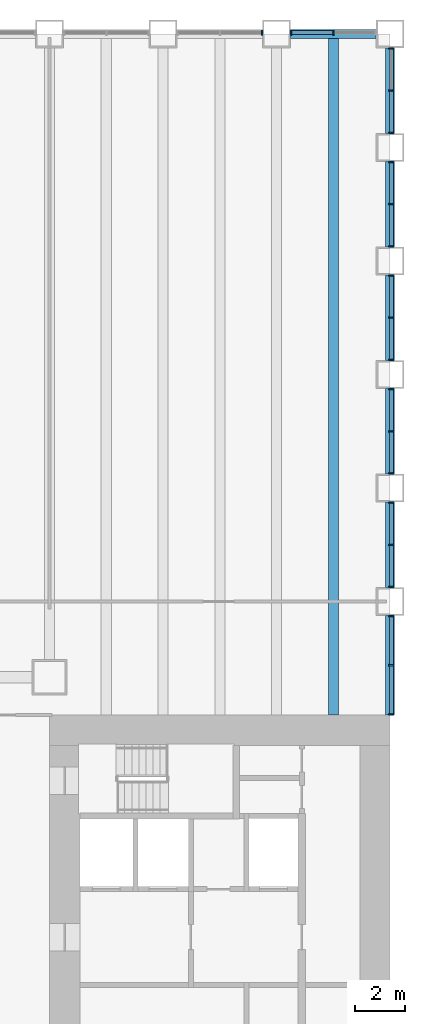
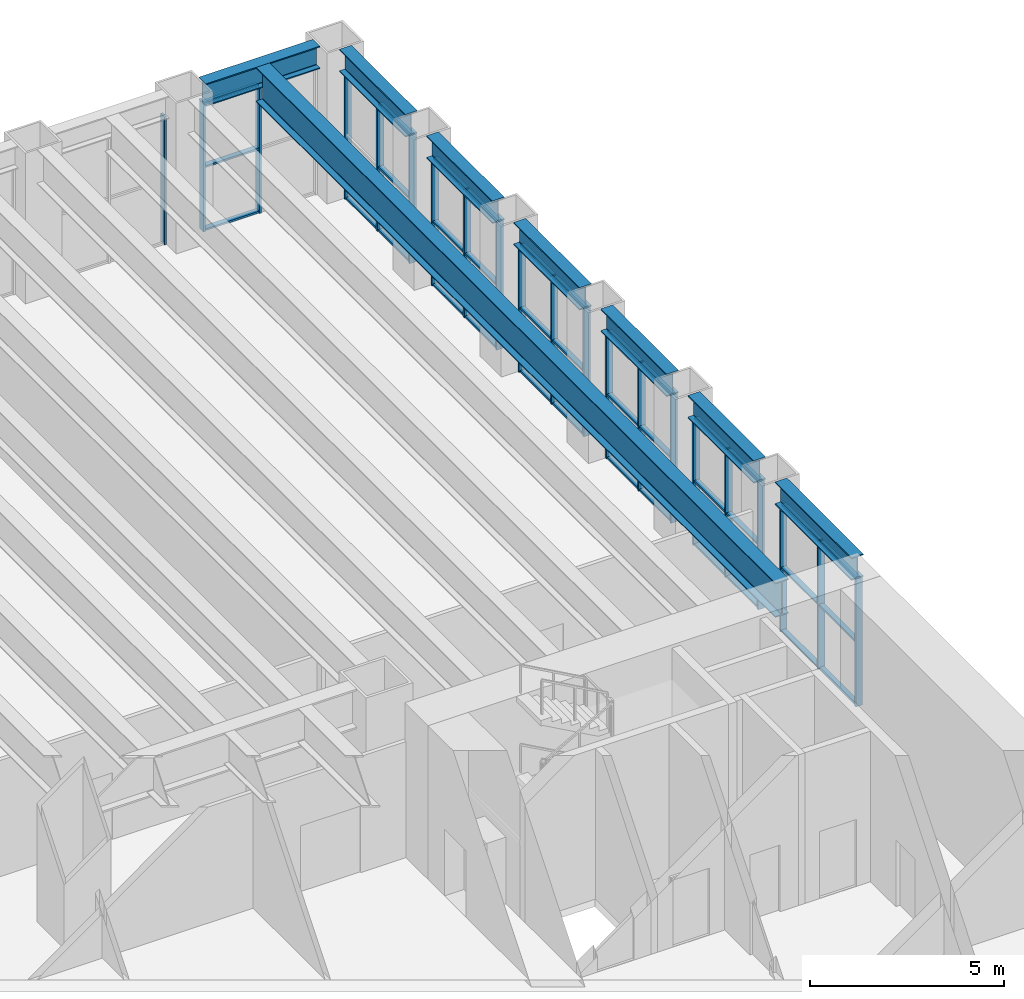
# One storey, part 5 of 19: 58 members, 8 beams, 8 elements without a shape of their own.
"""IFC4 building model written with IfcOpenShell, lengths in metres."""

from ifc_helpers import new_model, si_unit, direction, frame, origin, origin_2d, place, context, subcontext, project, spatial, rectangle, i_section, extrude, material, material_profile, profile_set, type_object, element, aggregate, save


model = new_model("IFC4")

# Units and contexts
model_context = context("Model", 3, precision=1e-05, world=origin(), true_north=direction((0.0, 1.0)))
body_context = subcontext(model_context, "Body", "Model", "MODEL_VIEW")
ifc_project = project(units=[si_unit("LENGTHUNIT", "METRE"), si_unit("AREAUNIT", "SQUARE_METRE"), si_unit("VOLUMEUNIT", "CUBIC_METRE"), si_unit("PLANEANGLEUNIT", "RADIAN"), si_unit("MASSUNIT", "GRAM", prefix="KILO")], contexts=[model_context])

# Site, building, storey
site_placement = place(None, origin())
site = spatial("IfcSite", under=ifc_project, at=site_placement, CompositionType="ELEMENT")
building_placement = place(site_placement, origin())
building = spatial("IfcBuilding", under=site, at=building_placement, Name="Sennacour Bend Tower", CompositionType="ELEMENT")
storey_placement = place(building_placement, frame((0.0, 0.0, 19.0)))
storey = spatial("IfcBuildingStorey", under=building, at=storey_placement, Name="L03", CompositionType="ELEMENT", Elevation=19.0)

# Curtain wall, members
ifc_material_1 = material(Name="Bronze anodised aluminium curtain wall with clear glass", Category="aluminium")
curtain_wall_type = type_object("IfcCurtainWallType", Name="CURTAIN WALL NOTCH", PredefinedType="NOTDEFINED", material=ifc_material_1)
curtain_wall_1_placement = place(storey_placement, origin())
curtain_wall_1 = element("IfcCurtainWall", 1, at=curtain_wall_1_placement, inside=storey, type_object=curtain_wall_type, Name="Podium glass wall L03", PredefinedType="NOTDEFINED")
ifc_material_2 = material(Name="Aluminium 6063-T6", Category="aluminium")
ifc_material_profile_1 = material_profile(ifc_material_2, rectangle(XDim=0.199951171875, YDim=0.06005859375, at=origin_2d()), Name="Aluminium 6063-T6", Category="aluminium")
ifc_profile_set_1 = profile_set([ifc_material_profile_1], Name="Aluminium 6063-T6")
member_type_1 = type_object("IfcMemberType", Name="CW-MULLION-200X60", PredefinedType="MULLION", material=ifc_profile_set_1)
member_1_placement = place(storey_placement, frame((67.550048828125, 22.531005859375, 0.0), z_axis=(0.0, 0.0, 1.0), x_axis=(-1.0, 0.0, 0.0)))
member_1 = element("IfcMember", 2, at=member_1_placement, type_object=member_type_1, Name="GW2 curtain wall mullion 1", PredefinedType="MULLION", context=body_context, shape_type="SweptSolid", body=[
    extrude(rectangle(XDim=0.199951171875, YDim=0.06005859375, at=origin_2d()), origin(), (0.0, 0.0, 1.0), 4.035888671875),
])
member_2_placement = place(storey_placement, frame((67.550048828125, 24.4755859375, 0.0), z_axis=(0.0, 0.0, 1.0), x_axis=(-1.0, 0.0, 0.0)))
member_2 = element("IfcMember", 3, at=member_2_placement, type_object=member_type_1, Name="GW2 curtain wall mullion 2", PredefinedType="MULLION", context=body_context, shape_type="SweptSolid", body=[
    extrude(rectangle(XDim=0.199951171875, YDim=0.06005859375, at=origin_2d()), origin(), (0.0, 0.0, 1.0), 4.035888671875),
])
member_3_placement = place(storey_placement, frame((67.550048828125, 26.419921875, 0.0), z_axis=(0.0, 0.0, 1.0), x_axis=(-1.0, 0.0, 0.0)))
member_3 = element("IfcMember", 4, at=member_3_placement, type_object=member_type_1, Name="GW2 curtain wall mullion 3", PredefinedType="MULLION", context=body_context, shape_type="SweptSolid", body=[
    extrude(rectangle(XDim=0.199951171875, YDim=0.06005859375, at=origin_2d()), origin(), (0.0, 0.0, 1.0), 4.035888671875),
])

curtain_wall_2_placement = place(storey_placement, origin())
curtain_wall_2 = element("IfcCurtainWall", 5, at=curtain_wall_2_placement, inside=storey, type_object=curtain_wall_type, Name="Podium glass wall L03", PredefinedType="NOTDEFINED")
member_4_placement = place(storey_placement, frame((67.550048828125, 27.580078125, 0.0), z_axis=(0.0, 0.0, 1.0), x_axis=(-1.0, 0.0, 0.0)))
member_4 = element("IfcMember", 6, at=member_4_placement, type_object=member_type_1, Name="GW2 curtain wall mullion 1", PredefinedType="MULLION", context=body_context, shape_type="SweptSolid", body=[
    extrude(rectangle(XDim=0.199951171875, YDim=0.06005859375, at=origin_2d()), origin(), (0.0, 0.0, 1.0), 4.035888671875),
])
member_5_placement = place(storey_placement, frame((67.550048828125, 29.25, 0.0), z_axis=(0.0, 0.0, 1.0), x_axis=(-1.0, 0.0, 0.0)))
member_5 = element("IfcMember", 7, at=member_5_placement, type_object=member_type_1, Name="GW2 curtain wall mullion 2", PredefinedType="MULLION", context=body_context, shape_type="SweptSolid", body=[
    extrude(rectangle(XDim=0.199951171875, YDim=0.06005859375, at=origin_2d()), origin(), (0.0, 0.0, 1.0), 4.035888671875),
])
member_6_placement = place(storey_placement, frame((67.550048828125, 30.919921875, 0.0), z_axis=(0.0, 0.0, 1.0), x_axis=(-1.0, 0.0, 0.0)))
member_6 = element("IfcMember", 8, at=member_6_placement, type_object=member_type_1, Name="GW2 curtain wall mullion 3", PredefinedType="MULLION", context=body_context, shape_type="SweptSolid", body=[
    extrude(rectangle(XDim=0.199951171875, YDim=0.06005859375, at=origin_2d()), origin(), (0.0, 0.0, 1.0), 4.035888671875),
])

curtain_wall_3_placement = place(storey_placement, origin())
curtain_wall_3 = element("IfcCurtainWall", 9, at=curtain_wall_3_placement, inside=storey, type_object=curtain_wall_type, Name="Podium glass wall L03", PredefinedType="NOTDEFINED")
member_7_placement = place(storey_placement, frame((67.550048828125, 32.080078125, 0.0), z_axis=(0.0, 0.0, 1.0), x_axis=(-1.0, 0.0, 0.0)))
member_7 = element("IfcMember", 10, at=member_7_placement, type_object=member_type_1, Name="GW2 curtain wall mullion 1", PredefinedType="MULLION", context=body_context, shape_type="SweptSolid", body=[
    extrude(rectangle(XDim=0.199951171875, YDim=0.06005859375, at=origin_2d()), origin(), (0.0, 0.0, 1.0), 4.035888671875),
])
member_8_placement = place(storey_placement, frame((67.550048828125, 33.75, 0.0), z_axis=(0.0, 0.0, 1.0), x_axis=(-1.0, 0.0, 0.0)))
member_8 = element("IfcMember", 11, at=member_8_placement, type_object=member_type_1, Name="GW2 curtain wall mullion 2", PredefinedType="MULLION", context=body_context, shape_type="SweptSolid", body=[
    extrude(rectangle(XDim=0.199951171875, YDim=0.06005859375, at=origin_2d()), origin(), (0.0, 0.0, 1.0), 4.035888671875),
])
member_9_placement = place(storey_placement, frame((67.550048828125, 35.419921875, 0.0), z_axis=(0.0, 0.0, 1.0), x_axis=(-1.0, 0.0, 0.0)))
member_9 = element("IfcMember", 12, at=member_9_placement, type_object=member_type_1, Name="GW2 curtain wall mullion 3", PredefinedType="MULLION", context=body_context, shape_type="SweptSolid", body=[
    extrude(rectangle(XDim=0.199951171875, YDim=0.06005859375, at=origin_2d()), origin(), (0.0, 0.0, 1.0), 4.035888671875),
])

curtain_wall_4_placement = place(storey_placement, origin())
curtain_wall_4 = element("IfcCurtainWall", 13, at=curtain_wall_4_placement, inside=storey, type_object=curtain_wall_type, Name="Podium glass wall L03", PredefinedType="NOTDEFINED")
member_10_placement = place(storey_placement, frame((67.550048828125, 36.580078125, 0.0), z_axis=(0.0, 0.0, 1.0), x_axis=(-1.0, 0.0, 0.0)))
member_10 = element("IfcMember", 14, at=member_10_placement, type_object=member_type_1, Name="GW2 curtain wall mullion 1", PredefinedType="MULLION", context=body_context, shape_type="SweptSolid", body=[
    extrude(rectangle(XDim=0.199951171875, YDim=0.06005859375, at=origin_2d()), origin(), (0.0, 0.0, 1.0), 4.035888671875),
])
member_11_placement = place(storey_placement, frame((67.550048828125, 38.25, 0.0), z_axis=(0.0, 0.0, 1.0), x_axis=(-1.0, 0.0, 0.0)))
member_11 = element("IfcMember", 15, at=member_11_placement, type_object=member_type_1, Name="GW2 curtain wall mullion 2", PredefinedType="MULLION", context=body_context, shape_type="SweptSolid", body=[
    extrude(rectangle(XDim=0.199951171875, YDim=0.06005859375, at=origin_2d()), origin(), (0.0, 0.0, 1.0), 4.035888671875),
])
member_12_placement = place(storey_placement, frame((67.550048828125, 39.919921875, 0.0), z_axis=(0.0, 0.0, 1.0), x_axis=(-1.0, 0.0, 0.0)))
member_12 = element("IfcMember", 16, at=member_12_placement, type_object=member_type_1, Name="GW2 curtain wall mullion 3", PredefinedType="MULLION", context=body_context, shape_type="SweptSolid", body=[
    extrude(rectangle(XDim=0.199951171875, YDim=0.06005859375, at=origin_2d()), origin(), (0.0, 0.0, 1.0), 4.035888671875),
])

curtain_wall_5_placement = place(storey_placement, origin())
curtain_wall_5 = element("IfcCurtainWall", 17, at=curtain_wall_5_placement, inside=storey, type_object=curtain_wall_type, Name="Podium glass wall L03", PredefinedType="NOTDEFINED")
member_13_placement = place(storey_placement, frame((67.550048828125, 41.080078125, 0.0), z_axis=(0.0, 0.0, 1.0), x_axis=(-1.0, 0.0, 0.0)))
member_13 = element("IfcMember", 18, at=member_13_placement, type_object=member_type_1, Name="GW2 curtain wall mullion 1", PredefinedType="MULLION", context=body_context, shape_type="SweptSolid", body=[
    extrude(rectangle(XDim=0.199951171875, YDim=0.06005859375, at=origin_2d()), origin(), (0.0, 0.0, 1.0), 4.035888671875),
])
member_14_placement = place(storey_placement, frame((67.550048828125, 42.75, 0.0), z_axis=(0.0, 0.0, 1.0), x_axis=(-1.0, 0.0, 0.0)))
member_14 = element("IfcMember", 19, at=member_14_placement, type_object=member_type_1, Name="GW2 curtain wall mullion 2", PredefinedType="MULLION", context=body_context, shape_type="SweptSolid", body=[
    extrude(rectangle(XDim=0.199951171875, YDim=0.06005859375, at=origin_2d()), origin(), (0.0, 0.0, 1.0), 4.035888671875),
])
member_15_placement = place(storey_placement, frame((67.550048828125, 44.419921875, 0.0), z_axis=(0.0, 0.0, 1.0), x_axis=(-1.0, 0.0, 0.0)))
member_15 = element("IfcMember", 20, at=member_15_placement, type_object=member_type_1, Name="GW2 curtain wall mullion 3", PredefinedType="MULLION", context=body_context, shape_type="SweptSolid", body=[
    extrude(rectangle(XDim=0.199951171875, YDim=0.06005859375, at=origin_2d()), origin(), (0.0, 0.0, 1.0), 4.035888671875),
])

curtain_wall_6_placement = place(storey_placement, origin())
curtain_wall_6 = element("IfcCurtainWall", 21, at=curtain_wall_6_placement, inside=storey, type_object=curtain_wall_type, Name="Podium glass wall L03", PredefinedType="NOTDEFINED")
member_16_placement = place(storey_placement, frame((67.550048828125, 45.580078125, 0.0), z_axis=(0.0, 0.0, 1.0), x_axis=(-1.0, 0.0, 0.0)))
member_16 = element("IfcMember", 22, at=member_16_placement, type_object=member_type_1, Name="GW2 curtain wall mullion 1", PredefinedType="MULLION", context=body_context, shape_type="SweptSolid", body=[
    extrude(rectangle(XDim=0.199951171875, YDim=0.06005859375, at=origin_2d()), origin(), (0.0, 0.0, 1.0), 4.035888671875),
])
member_17_placement = place(storey_placement, frame((67.550048828125, 47.25, 0.0), z_axis=(0.0, 0.0, 1.0), x_axis=(-1.0, 0.0, 0.0)))
member_17 = element("IfcMember", 23, at=member_17_placement, type_object=member_type_1, Name="GW2 curtain wall mullion 2", PredefinedType="MULLION", context=body_context, shape_type="SweptSolid", body=[
    extrude(rectangle(XDim=0.199951171875, YDim=0.06005859375, at=origin_2d()), origin(), (0.0, 0.0, 1.0), 4.035888671875),
])
member_18_placement = place(storey_placement, frame((67.550048828125, 48.919921875, 0.0), z_axis=(0.0, 0.0, 1.0), x_axis=(-1.0, 0.0, 0.0)))
member_18 = element("IfcMember", 24, at=member_18_placement, type_object=member_type_1, Name="GW2 curtain wall mullion 3", PredefinedType="MULLION", context=body_context, shape_type="SweptSolid", body=[
    extrude(rectangle(XDim=0.199951171875, YDim=0.06005859375, at=origin_2d()), origin(), (0.0, 0.0, 1.0), 4.035888671875),
])

curtain_wall_7_placement = place(storey_placement, origin())
curtain_wall_7 = element("IfcCurtainWall", 25, at=curtain_wall_7_placement, inside=storey, type_object=curtain_wall_type, Name="Podium glass wall L03", PredefinedType="NOTDEFINED")
member_19_placement = place(storey_placement, frame((65.25, 49.550048828125, 0.0), z_axis=(0.0, 0.0, 1.0), x_axis=(0.0, -1.0, 0.0)))
member_19 = element("IfcMember", 26, at=member_19_placement, type_object=member_type_1, Name="GW2 curtain wall mullion 2", PredefinedType="MULLION", context=body_context, shape_type="SweptSolid", body=[
    extrude(rectangle(XDim=0.199951171875, YDim=0.06005859375, at=origin_2d()), origin(), (0.0, 0.0, 1.0), 4.035888671875),
])
member_20_placement = place(storey_placement, frame((63.580078125, 49.550048828125, 0.0), z_axis=(0.0, 0.0, 1.0), x_axis=(0.0, -1.0, 0.0)))
member_20 = element("IfcMember", 27, at=member_20_placement, type_object=member_type_1, Name="GW2 curtain wall mullion 3", PredefinedType="MULLION", context=body_context, shape_type="SweptSolid", body=[
    extrude(rectangle(XDim=0.199951171875, YDim=0.06005859375, at=origin_2d()), origin(), (0.0, 0.0, 1.0), 4.035888671875),
])

# Curtain wall, member
curtain_wall_8_placement = place(storey_placement, origin())
curtain_wall_8 = element("IfcCurtainWall", 28, at=curtain_wall_8_placement, inside=storey, type_object=curtain_wall_type, Name="Podium glass wall L03", PredefinedType="NOTDEFINED")
member_21_placement = place(storey_placement, frame((62.419921875, 49.550048828125, 0.0), z_axis=(0.0, 0.0, 1.0), x_axis=(0.0, -1.0, 0.0)))
member_21 = element("IfcMember", 29, at=member_21_placement, type_object=member_type_1, Name="GW2 curtain wall mullion 1", PredefinedType="MULLION", context=body_context, shape_type="SweptSolid", body=[
    extrude(rectangle(XDim=0.199951171875, YDim=0.06005859375, at=origin_2d()), origin(), (0.0, 0.0, 1.0), 4.035888671875),
])
aggregate(curtain_wall_8, [member_21])

# Member
ifc_material_profile_2 = material_profile(ifc_material_2, rectangle(XDim=0.14990234375, YDim=0.06005859375, at=origin_2d()), Name="Aluminium 6063-T6", Category="aluminium")
ifc_profile_set_2 = profile_set([ifc_material_profile_2], Name="Aluminium 6063-T6")
member_type_2 = type_object("IfcMemberType", Name="CW-TRANSOM-150X60", PredefinedType="USERDEFINED", material=ifc_profile_set_2)
member_22_placement = place(storey_placement, frame((67.550048828125, 22.56103515625, 0.030029296875), z_axis=(0.0, 1.0, 0.0), x_axis=(-1.0, 0.0, 0.0)))
member_22 = element("IfcMember", 30, at=member_22_placement, type_object=member_type_2, Name="GW2 curtain wall transom 1.1", ObjectType="TRANSOM", PredefinedType="USERDEFINED", context=body_context, shape_type="SweptSolid", body=[
    extrude(rectangle(XDim=0.14990234375, YDim=0.06005859375, at=origin_2d()), origin(), (0.0, 0.0, 1.0), 1.884521484375),
])

member_23_placement = place(storey_placement, frame((67.550048828125, 22.56103515625, 2.01806640625), z_axis=(0.0, 1.0, 0.0), x_axis=(-1.0, 0.0, 0.0)))
member_23 = element("IfcMember", 31, at=member_23_placement, type_object=member_type_2, Name="GW2 curtain wall transom 1.2", ObjectType="TRANSOM", PredefinedType="USERDEFINED", context=body_context, shape_type="SweptSolid", body=[
    extrude(rectangle(XDim=0.14990234375, YDim=0.06005859375, at=origin_2d()), origin(), (0.0, 0.0, 1.0), 1.884521484375),
])

member_24_placement = place(storey_placement, frame((67.550048828125, 22.56103515625, 4.006103515625), z_axis=(0.0, 1.0, 0.0), x_axis=(-1.0, 0.0, 0.0)))
member_24 = element("IfcMember", 32, at=member_24_placement, type_object=member_type_2, Name="GW2 curtain wall transom 1.3", ObjectType="TRANSOM", PredefinedType="USERDEFINED", context=body_context, shape_type="SweptSolid", body=[
    extrude(rectangle(XDim=0.14990234375, YDim=0.06005859375, at=origin_2d()), origin(), (0.0, 0.0, 1.0), 1.884521484375),
])

member_25_placement = place(storey_placement, frame((67.550048828125, 24.505615234375, 0.030029296875), z_axis=(0.0, 1.0, 0.0), x_axis=(-1.0, 0.0, 0.0)))
member_25 = element("IfcMember", 33, at=member_25_placement, type_object=member_type_2, Name="GW2 curtain wall transom 2.1", ObjectType="TRANSOM", PredefinedType="USERDEFINED", context=body_context, shape_type="SweptSolid", body=[
    extrude(rectangle(XDim=0.14990234375, YDim=0.06005859375, at=origin_2d()), origin(), (0.0, 0.0, 1.0), 1.88427734375),
])

member_26_placement = place(storey_placement, frame((67.550048828125, 24.505615234375, 2.01806640625), z_axis=(0.0, 1.0, 0.0), x_axis=(-1.0, 0.0, 0.0)))
member_26 = element("IfcMember", 34, at=member_26_placement, type_object=member_type_2, Name="GW2 curtain wall transom 2.2", ObjectType="TRANSOM", PredefinedType="USERDEFINED", context=body_context, shape_type="SweptSolid", body=[
    extrude(rectangle(XDim=0.14990234375, YDim=0.06005859375, at=origin_2d()), origin(), (0.0, 0.0, 1.0), 1.88427734375),
])

member_27_placement = place(storey_placement, frame((67.550048828125, 24.505615234375, 4.006103515625), z_axis=(0.0, 1.0, 0.0), x_axis=(-1.0, 0.0, 0.0)))
member_27 = element("IfcMember", 35, at=member_27_placement, type_object=member_type_2, Name="GW2 curtain wall transom 2.3", ObjectType="TRANSOM", PredefinedType="USERDEFINED", context=body_context, shape_type="SweptSolid", body=[
    extrude(rectangle(XDim=0.14990234375, YDim=0.06005859375, at=origin_2d()), origin(), (0.0, 0.0, 1.0), 1.88427734375),
])

aggregate(curtain_wall_1, [member_1, member_2, member_3, member_22, member_23, member_24, member_25, member_26, member_27])

member_28_placement = place(storey_placement, frame((67.550048828125, 27.610107421875, 0.030029296875), z_axis=(0.0, 1.0, 0.0), x_axis=(-1.0, 0.0, 0.0)))
member_28 = element("IfcMember", 36, at=member_28_placement, type_object=member_type_2, Name="GW2 curtain wall transom 1.1", ObjectType="TRANSOM", PredefinedType="USERDEFINED", context=body_context, shape_type="SweptSolid", body=[
    extrude(rectangle(XDim=0.14990234375, YDim=0.06005859375, at=origin_2d()), origin(), (0.0, 0.0, 1.0), 1.60986328125),
])

member_29_placement = place(storey_placement, frame((67.550048828125, 27.610107421875, 2.01806640625), z_axis=(0.0, 1.0, 0.0), x_axis=(-1.0, 0.0, 0.0)))
member_29 = element("IfcMember", 37, at=member_29_placement, type_object=member_type_2, Name="GW2 curtain wall transom 1.2", ObjectType="TRANSOM", PredefinedType="USERDEFINED", context=body_context, shape_type="SweptSolid", body=[
    extrude(rectangle(XDim=0.14990234375, YDim=0.06005859375, at=origin_2d()), origin(), (0.0, 0.0, 1.0), 1.60986328125),
])

member_30_placement = place(storey_placement, frame((67.550048828125, 27.610107421875, 4.006103515625), z_axis=(0.0, 1.0, 0.0), x_axis=(-1.0, 0.0, 0.0)))
member_30 = element("IfcMember", 38, at=member_30_placement, type_object=member_type_2, Name="GW2 curtain wall transom 1.3", ObjectType="TRANSOM", PredefinedType="USERDEFINED", context=body_context, shape_type="SweptSolid", body=[
    extrude(rectangle(XDim=0.14990234375, YDim=0.06005859375, at=origin_2d()), origin(), (0.0, 0.0, 1.0), 1.60986328125),
])

member_31_placement = place(storey_placement, frame((67.550048828125, 29.280029296875, 0.030029296875), z_axis=(0.0, 1.0, 0.0), x_axis=(-1.0, 0.0, 0.0)))
member_31 = element("IfcMember", 39, at=member_31_placement, type_object=member_type_2, Name="GW2 curtain wall transom 2.1", ObjectType="TRANSOM", PredefinedType="USERDEFINED", context=body_context, shape_type="SweptSolid", body=[
    extrude(rectangle(XDim=0.14990234375, YDim=0.06005859375, at=origin_2d()), origin(), (0.0, 0.0, 1.0), 1.60986328125),
])

member_32_placement = place(storey_placement, frame((67.550048828125, 29.280029296875, 2.01806640625), z_axis=(0.0, 1.0, 0.0), x_axis=(-1.0, 0.0, 0.0)))
member_32 = element("IfcMember", 40, at=member_32_placement, type_object=member_type_2, Name="GW2 curtain wall transom 2.2", ObjectType="TRANSOM", PredefinedType="USERDEFINED", context=body_context, shape_type="SweptSolid", body=[
    extrude(rectangle(XDim=0.14990234375, YDim=0.06005859375, at=origin_2d()), origin(), (0.0, 0.0, 1.0), 1.60986328125),
])

member_33_placement = place(storey_placement, frame((67.550048828125, 29.280029296875, 4.006103515625), z_axis=(0.0, 1.0, 0.0), x_axis=(-1.0, 0.0, 0.0)))
member_33 = element("IfcMember", 41, at=member_33_placement, type_object=member_type_2, Name="GW2 curtain wall transom 2.3", ObjectType="TRANSOM", PredefinedType="USERDEFINED", context=body_context, shape_type="SweptSolid", body=[
    extrude(rectangle(XDim=0.14990234375, YDim=0.06005859375, at=origin_2d()), origin(), (0.0, 0.0, 1.0), 1.60986328125),
])

aggregate(curtain_wall_2, [member_4, member_5, member_6, member_28, member_29, member_30, member_31, member_32, member_33])

member_34_placement = place(storey_placement, frame((67.550048828125, 32.110107421875, 0.030029296875), z_axis=(0.0, 1.0, 0.0), x_axis=(-1.0, 0.0, 0.0)))
member_34 = element("IfcMember", 42, at=member_34_placement, type_object=member_type_2, Name="GW2 curtain wall transom 1.1", ObjectType="TRANSOM", PredefinedType="USERDEFINED", context=body_context, shape_type="SweptSolid", body=[
    extrude(rectangle(XDim=0.14990234375, YDim=0.06005859375, at=origin_2d()), origin(), (0.0, 0.0, 1.0), 1.60986328125),
])

member_35_placement = place(storey_placement, frame((67.550048828125, 32.110107421875, 2.01806640625), z_axis=(0.0, 1.0, 0.0), x_axis=(-1.0, 0.0, 0.0)))
member_35 = element("IfcMember", 43, at=member_35_placement, type_object=member_type_2, Name="GW2 curtain wall transom 1.2", ObjectType="TRANSOM", PredefinedType="USERDEFINED", context=body_context, shape_type="SweptSolid", body=[
    extrude(rectangle(XDim=0.14990234375, YDim=0.06005859375, at=origin_2d()), origin(), (0.0, 0.0, 1.0), 1.60986328125),
])

member_36_placement = place(storey_placement, frame((67.550048828125, 32.110107421875, 4.006103515625), z_axis=(0.0, 1.0, 0.0), x_axis=(-1.0, 0.0, 0.0)))
member_36 = element("IfcMember", 44, at=member_36_placement, type_object=member_type_2, Name="GW2 curtain wall transom 1.3", ObjectType="TRANSOM", PredefinedType="USERDEFINED", context=body_context, shape_type="SweptSolid", body=[
    extrude(rectangle(XDim=0.14990234375, YDim=0.06005859375, at=origin_2d()), origin(), (0.0, 0.0, 1.0), 1.60986328125),
])

member_37_placement = place(storey_placement, frame((67.550048828125, 33.780029296875, 0.030029296875), z_axis=(0.0, 1.0, 0.0), x_axis=(-1.0, 0.0, 0.0)))
member_37 = element("IfcMember", 45, at=member_37_placement, type_object=member_type_2, Name="GW2 curtain wall transom 2.1", ObjectType="TRANSOM", PredefinedType="USERDEFINED", context=body_context, shape_type="SweptSolid", body=[
    extrude(rectangle(XDim=0.14990234375, YDim=0.06005859375, at=origin_2d()), origin(), (0.0, 0.0, 1.0), 1.60986328125),
])

member_38_placement = place(storey_placement, frame((67.550048828125, 33.780029296875, 2.01806640625), z_axis=(0.0, 1.0, 0.0), x_axis=(-1.0, 0.0, 0.0)))
member_38 = element("IfcMember", 46, at=member_38_placement, type_object=member_type_2, Name="GW2 curtain wall transom 2.2", ObjectType="TRANSOM", PredefinedType="USERDEFINED", context=body_context, shape_type="SweptSolid", body=[
    extrude(rectangle(XDim=0.14990234375, YDim=0.06005859375, at=origin_2d()), origin(), (0.0, 0.0, 1.0), 1.60986328125),
])

member_39_placement = place(storey_placement, frame((67.550048828125, 33.780029296875, 4.006103515625), z_axis=(0.0, 1.0, 0.0), x_axis=(-1.0, 0.0, 0.0)))
member_39 = element("IfcMember", 47, at=member_39_placement, type_object=member_type_2, Name="GW2 curtain wall transom 2.3", ObjectType="TRANSOM", PredefinedType="USERDEFINED", context=body_context, shape_type="SweptSolid", body=[
    extrude(rectangle(XDim=0.14990234375, YDim=0.06005859375, at=origin_2d()), origin(), (0.0, 0.0, 1.0), 1.60986328125),
])

aggregate(curtain_wall_3, [member_7, member_8, member_9, member_34, member_35, member_36, member_37, member_38, member_39])

member_40_placement = place(storey_placement, frame((67.550048828125, 36.610107421875, 0.030029296875), z_axis=(0.0, 1.0, 0.0), x_axis=(-1.0, 0.0, 0.0)))
member_40 = element("IfcMember", 48, at=member_40_placement, type_object=member_type_2, Name="GW2 curtain wall transom 1.1", ObjectType="TRANSOM", PredefinedType="USERDEFINED", context=body_context, shape_type="SweptSolid", body=[
    extrude(rectangle(XDim=0.14990234375, YDim=0.06005859375, at=origin_2d()), origin(), (0.0, 0.0, 1.0), 1.60986328125),
])

member_41_placement = place(storey_placement, frame((67.550048828125, 36.610107421875, 2.01806640625), z_axis=(0.0, 1.0, 0.0), x_axis=(-1.0, 0.0, 0.0)))
member_41 = element("IfcMember", 49, at=member_41_placement, type_object=member_type_2, Name="GW2 curtain wall transom 1.2", ObjectType="TRANSOM", PredefinedType="USERDEFINED", context=body_context, shape_type="SweptSolid", body=[
    extrude(rectangle(XDim=0.14990234375, YDim=0.06005859375, at=origin_2d()), origin(), (0.0, 0.0, 1.0), 1.60986328125),
])

member_42_placement = place(storey_placement, frame((67.550048828125, 36.610107421875, 4.006103515625), z_axis=(0.0, 1.0, 0.0), x_axis=(-1.0, 0.0, 0.0)))
member_42 = element("IfcMember", 50, at=member_42_placement, type_object=member_type_2, Name="GW2 curtain wall transom 1.3", ObjectType="TRANSOM", PredefinedType="USERDEFINED", context=body_context, shape_type="SweptSolid", body=[
    extrude(rectangle(XDim=0.14990234375, YDim=0.06005859375, at=origin_2d()), origin(), (0.0, 0.0, 1.0), 1.60986328125),
])

member_43_placement = place(storey_placement, frame((67.550048828125, 38.280029296875, 0.030029296875), z_axis=(0.0, 1.0, 0.0), x_axis=(-1.0, 0.0, 0.0)))
member_43 = element("IfcMember", 51, at=member_43_placement, type_object=member_type_2, Name="GW2 curtain wall transom 2.1", ObjectType="TRANSOM", PredefinedType="USERDEFINED", context=body_context, shape_type="SweptSolid", body=[
    extrude(rectangle(XDim=0.14990234375, YDim=0.06005859375, at=origin_2d()), origin(), (0.0, 0.0, 1.0), 1.60986328125),
])

member_44_placement = place(storey_placement, frame((67.550048828125, 38.280029296875, 2.01806640625), z_axis=(0.0, 1.0, 0.0), x_axis=(-1.0, 0.0, 0.0)))
member_44 = element("IfcMember", 52, at=member_44_placement, type_object=member_type_2, Name="GW2 curtain wall transom 2.2", ObjectType="TRANSOM", PredefinedType="USERDEFINED", context=body_context, shape_type="SweptSolid", body=[
    extrude(rectangle(XDim=0.14990234375, YDim=0.06005859375, at=origin_2d()), origin(), (0.0, 0.0, 1.0), 1.60986328125),
])

member_45_placement = place(storey_placement, frame((67.550048828125, 38.280029296875, 4.006103515625), z_axis=(0.0, 1.0, 0.0), x_axis=(-1.0, 0.0, 0.0)))
member_45 = element("IfcMember", 53, at=member_45_placement, type_object=member_type_2, Name="GW2 curtain wall transom 2.3", ObjectType="TRANSOM", PredefinedType="USERDEFINED", context=body_context, shape_type="SweptSolid", body=[
    extrude(rectangle(XDim=0.14990234375, YDim=0.06005859375, at=origin_2d()), origin(), (0.0, 0.0, 1.0), 1.60986328125),
])

aggregate(curtain_wall_4, [member_10, member_11, member_12, member_40, member_41, member_42, member_43, member_44, member_45])

member_46_placement = place(storey_placement, frame((67.550048828125, 41.110107421875, 0.030029296875), z_axis=(0.0, 1.0, 0.0), x_axis=(-1.0, 0.0, 0.0)))
member_46 = element("IfcMember", 54, at=member_46_placement, type_object=member_type_2, Name="GW2 curtain wall transom 1.1", ObjectType="TRANSOM", PredefinedType="USERDEFINED", context=body_context, shape_type="SweptSolid", body=[
    extrude(rectangle(XDim=0.14990234375, YDim=0.06005859375, at=origin_2d()), origin(), (0.0, 0.0, 1.0), 1.60986328125),
])

member_47_placement = place(storey_placement, frame((67.550048828125, 41.110107421875, 2.01806640625), z_axis=(0.0, 1.0, 0.0), x_axis=(-1.0, 0.0, 0.0)))
member_47 = element("IfcMember", 55, at=member_47_placement, type_object=member_type_2, Name="GW2 curtain wall transom 1.2", ObjectType="TRANSOM", PredefinedType="USERDEFINED", context=body_context, shape_type="SweptSolid", body=[
    extrude(rectangle(XDim=0.14990234375, YDim=0.06005859375, at=origin_2d()), origin(), (0.0, 0.0, 1.0), 1.60986328125),
])

member_48_placement = place(storey_placement, frame((67.550048828125, 41.110107421875, 4.006103515625), z_axis=(0.0, 1.0, 0.0), x_axis=(-1.0, 0.0, 0.0)))
member_48 = element("IfcMember", 56, at=member_48_placement, type_object=member_type_2, Name="GW2 curtain wall transom 1.3", ObjectType="TRANSOM", PredefinedType="USERDEFINED", context=body_context, shape_type="SweptSolid", body=[
    extrude(rectangle(XDim=0.14990234375, YDim=0.06005859375, at=origin_2d()), origin(), (0.0, 0.0, 1.0), 1.60986328125),
])

member_49_placement = place(storey_placement, frame((67.550048828125, 42.780029296875, 0.030029296875), z_axis=(0.0, 1.0, 0.0), x_axis=(-1.0, 0.0, 0.0)))
member_49 = element("IfcMember", 57, at=member_49_placement, type_object=member_type_2, Name="GW2 curtain wall transom 2.1", ObjectType="TRANSOM", PredefinedType="USERDEFINED", context=body_context, shape_type="SweptSolid", body=[
    extrude(rectangle(XDim=0.14990234375, YDim=0.06005859375, at=origin_2d()), origin(), (0.0, 0.0, 1.0), 1.60986328125),
])

member_50_placement = place(storey_placement, frame((67.550048828125, 42.780029296875, 2.01806640625), z_axis=(0.0, 1.0, 0.0), x_axis=(-1.0, 0.0, 0.0)))
member_50 = element("IfcMember", 58, at=member_50_placement, type_object=member_type_2, Name="GW2 curtain wall transom 2.2", ObjectType="TRANSOM", PredefinedType="USERDEFINED", context=body_context, shape_type="SweptSolid", body=[
    extrude(rectangle(XDim=0.14990234375, YDim=0.06005859375, at=origin_2d()), origin(), (0.0, 0.0, 1.0), 1.60986328125),
])

member_51_placement = place(storey_placement, frame((67.550048828125, 42.780029296875, 4.006103515625), z_axis=(0.0, 1.0, 0.0), x_axis=(-1.0, 0.0, 0.0)))
member_51 = element("IfcMember", 59, at=member_51_placement, type_object=member_type_2, Name="GW2 curtain wall transom 2.3", ObjectType="TRANSOM", PredefinedType="USERDEFINED", context=body_context, shape_type="SweptSolid", body=[
    extrude(rectangle(XDim=0.14990234375, YDim=0.06005859375, at=origin_2d()), origin(), (0.0, 0.0, 1.0), 1.60986328125),
])

aggregate(curtain_wall_5, [member_13, member_14, member_15, member_46, member_47, member_48, member_49, member_50, member_51])

member_52_placement = place(storey_placement, frame((67.550048828125, 45.610107421875, 0.030029296875), z_axis=(0.0, 1.0, 0.0), x_axis=(-1.0, 0.0, 0.0)))
member_52 = element("IfcMember", 60, at=member_52_placement, type_object=member_type_2, Name="GW2 curtain wall transom 1.1", ObjectType="TRANSOM", PredefinedType="USERDEFINED", context=body_context, shape_type="SweptSolid", body=[
    extrude(rectangle(XDim=0.14990234375, YDim=0.06005859375, at=origin_2d()), origin(), (0.0, 0.0, 1.0), 1.60986328125),
])

member_53_placement = place(storey_placement, frame((67.550048828125, 45.610107421875, 2.01806640625), z_axis=(0.0, 1.0, 0.0), x_axis=(-1.0, 0.0, 0.0)))
member_53 = element("IfcMember", 61, at=member_53_placement, type_object=member_type_2, Name="GW2 curtain wall transom 1.2", ObjectType="TRANSOM", PredefinedType="USERDEFINED", context=body_context, shape_type="SweptSolid", body=[
    extrude(rectangle(XDim=0.14990234375, YDim=0.06005859375, at=origin_2d()), origin(), (0.0, 0.0, 1.0), 1.60986328125),
])

member_54_placement = place(storey_placement, frame((67.550048828125, 45.610107421875, 4.006103515625), z_axis=(0.0, 1.0, 0.0), x_axis=(-1.0, 0.0, 0.0)))
member_54 = element("IfcMember", 62, at=member_54_placement, type_object=member_type_2, Name="GW2 curtain wall transom 1.3", ObjectType="TRANSOM", PredefinedType="USERDEFINED", context=body_context, shape_type="SweptSolid", body=[
    extrude(rectangle(XDim=0.14990234375, YDim=0.06005859375, at=origin_2d()), origin(), (0.0, 0.0, 1.0), 1.60986328125),
])

member_55_placement = place(storey_placement, frame((67.550048828125, 47.280029296875, 0.030029296875), z_axis=(0.0, 1.0, 0.0), x_axis=(-1.0, 0.0, 0.0)))
member_55 = element("IfcMember", 63, at=member_55_placement, type_object=member_type_2, Name="GW2 curtain wall transom 2.1", ObjectType="TRANSOM", PredefinedType="USERDEFINED", context=body_context, shape_type="SweptSolid", body=[
    extrude(rectangle(XDim=0.14990234375, YDim=0.06005859375, at=origin_2d()), origin(), (0.0, 0.0, 1.0), 1.60986328125),
])

aggregate(curtain_wall_6, [member_16, member_17, member_18, member_52, member_53, member_54, member_55])

member_56_placement = place(storey_placement, frame((65.219970703125, 49.550048828125, 0.030029296875), z_axis=(-1.0, 0.0, 0.0), x_axis=(0.0, -1.0, 0.0)))
member_56 = element("IfcMember", 64, at=member_56_placement, type_object=member_type_2, Name="GW2 curtain wall transom 2.1", ObjectType="TRANSOM", PredefinedType="USERDEFINED", context=body_context, shape_type="SweptSolid", body=[
    extrude(rectangle(XDim=0.14990234375, YDim=0.06005859375, at=origin_2d()), origin(), (0.0, 0.0, 1.0), 1.60986328125),
])

member_57_placement = place(storey_placement, frame((65.219970703125, 49.550048828125, 2.01806640625), z_axis=(-1.0, 0.0, 0.0), x_axis=(0.0, -1.0, 0.0)))
member_57 = element("IfcMember", 65, at=member_57_placement, type_object=member_type_2, Name="GW2 curtain wall transom 2.2", ObjectType="TRANSOM", PredefinedType="USERDEFINED", context=body_context, shape_type="SweptSolid", body=[
    extrude(rectangle(XDim=0.14990234375, YDim=0.06005859375, at=origin_2d()), origin(), (0.0, 0.0, 1.0), 1.60986328125),
])

member_58_placement = place(storey_placement, frame((65.219970703125, 49.550048828125, 4.006103515625), z_axis=(-1.0, 0.0, 0.0), x_axis=(0.0, -1.0, 0.0)))
member_58 = element("IfcMember", 66, at=member_58_placement, type_object=member_type_2, Name="GW2 curtain wall transom 2.3", ObjectType="TRANSOM", PredefinedType="USERDEFINED", context=body_context, shape_type="SweptSolid", body=[
    extrude(rectangle(XDim=0.14990234375, YDim=0.06005859375, at=origin_2d()), origin(), (0.0, 0.0, 1.0), 1.60986328125),
])

aggregate(curtain_wall_7, [member_19, member_20, member_56, member_57, member_58])

# Beams
ifc_material_3 = material(Name="Steel ASTM A992 Grade 50", Category="steel")
ifc_material_profile_3 = material_profile(ifc_material_3, i_section(OverallWidth=0.40087890625, OverallDepth=1.090087890625, WebThickness=0.01806640625, FlangeThickness=0.031005859375, FilletRadius=0.02001953125, at=origin_2d()), Name="Steel ASTM A992 Grade 50", Category="steel")
ifc_profile_set_3 = profile_set([ifc_material_profile_3], Name="Steel ASTM A992 Grade 50")
beam_type_1 = type_object("IfcBeamType", Name="Notch floor beam W1100X343", PredefinedType="BEAM", material=ifc_profile_set_3)
beam_1_placement = place(storey_placement, frame((65.25, 22.5, 4.205078125), z_axis=(0.0, 1.0, 0.0), x_axis=(-1.0, 0.0, 0.0)))
element("IfcBeam", 67, at=beam_1_placement, inside=storey, type_object=beam_type_1, Name="Floor beam FBM4 L04-053", PredefinedType="BEAM", context=body_context, shape_type="SweptSolid", body=[
    extrude(i_section(OverallWidth=0.40087890625, OverallDepth=1.090087890625, WebThickness=0.01806640625, FlangeThickness=0.031005859375, FilletRadius=0.02001953125, at=origin_2d()), origin(), (0.0, 0.0, 1.0), 26.822021484375),
])
ifc_material_profile_4 = material_profile(ifc_material_3, i_section(OverallWidth=0.35595703125, OverallDepth=0.714111328125, WebThickness=0.01904296875, FlangeThickness=0.033935546875, FilletRadius=0.02001953125, at=origin_2d()), Name="Steel ASTM A992 Grade 50", Category="steel")
ifc_profile_set_4 = profile_set([ifc_material_profile_4], Name="Steel ASTM A992 Grade 50")
beam_type_2 = type_object("IfcBeamType", Name="Spandrel beam W690X289", PredefinedType="SPANDREL", material=ifc_profile_set_4)
for number, where, z_axis, x_axis, name in (
    (68, (67.5, 27.550048828125, 4.39306640625), (0.0, 1.0, 0.0), (-1.0, 0.0, 0.0), "Spandrel beam SP1 L04-001"),
    (69, (67.5, 32.050048828125, 4.39306640625), (0.0, 1.0, 0.0), (-1.0, 0.0, 0.0), "Spandrel beam SP1 L04-002"),
    (70, (67.5, 36.550048828125, 4.39306640625), (0.0, 1.0, 0.0), (-1.0, 0.0, 0.0), "Spandrel beam SP1 L04-003"),
    (71, (67.5, 41.050048828125, 4.39306640625), (0.0, 1.0, 0.0), (-1.0, 0.0, 0.0), "Spandrel beam SP1 L04-004"),
    (72, (67.5, 45.550048828125, 4.39306640625), (0.0, 1.0, 0.0), (-1.0, 0.0, 0.0), "Spandrel beam SP1 L04-005"),
    (73, (66.949951171875, 49.5, 4.39306640625), (-1.0, 0.0, 0.0), (0.0, -1.0, 0.0), "Spandrel beam SP1 L04-006"),
):
    element("IfcBeam", number, at=place(storey_placement, frame(where, z_axis=z_axis, x_axis=x_axis)), inside=storey, type_object=beam_type_2, Name=name, PredefinedType="SPANDREL", context=body_context, shape_type="SweptSolid", body=[
        extrude(i_section(OverallWidth=0.35595703125, OverallDepth=0.714111328125, WebThickness=0.01904296875, FlangeThickness=0.033935546875, FilletRadius=0.02001953125, at=origin_2d()), origin(), (0.0, 0.0, 1.0), 3.39990234375),
    ])
beam_2_placement = place(storey_placement, frame((67.5, 22.5, 4.39306640625), z_axis=(0.0, 1.0, 0.0), x_axis=(-1.0, 0.0, 0.0)))
element("IfcBeam", 74, at=beam_2_placement, inside=storey, type_object=beam_type_2, Name="Spandrel beam SP1 L04-036", PredefinedType="SPANDREL", context=body_context, shape_type="SweptSolid", body=[
    extrude(i_section(OverallWidth=0.35595703125, OverallDepth=0.714111328125, WebThickness=0.01904296875, FlangeThickness=0.033935546875, FilletRadius=0.02001953125, at=origin_2d()), origin(), (0.0, 0.0, 1.0), 3.949951171875),
])

save(model, "model.ifc")
